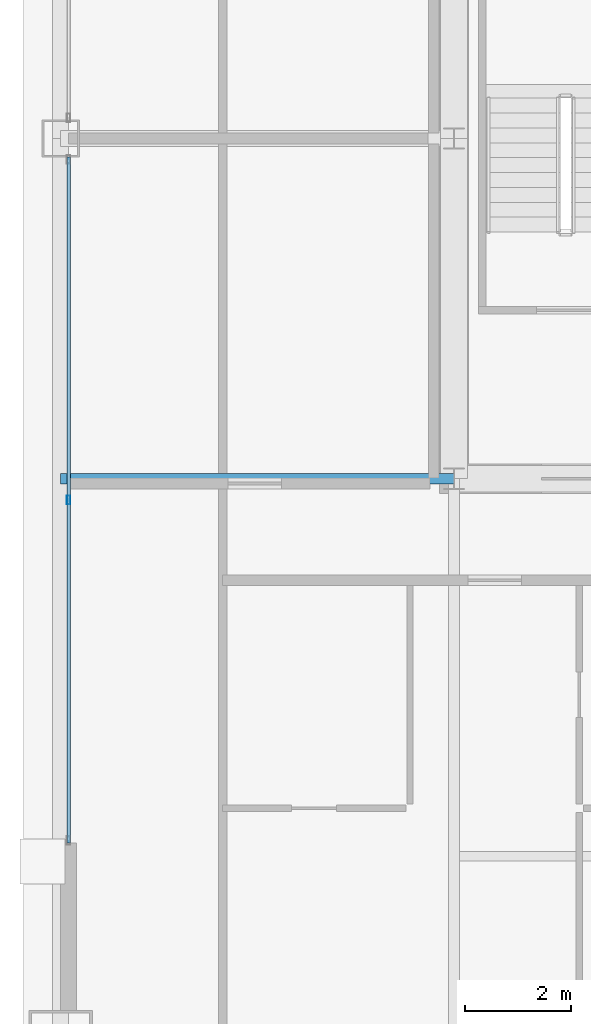
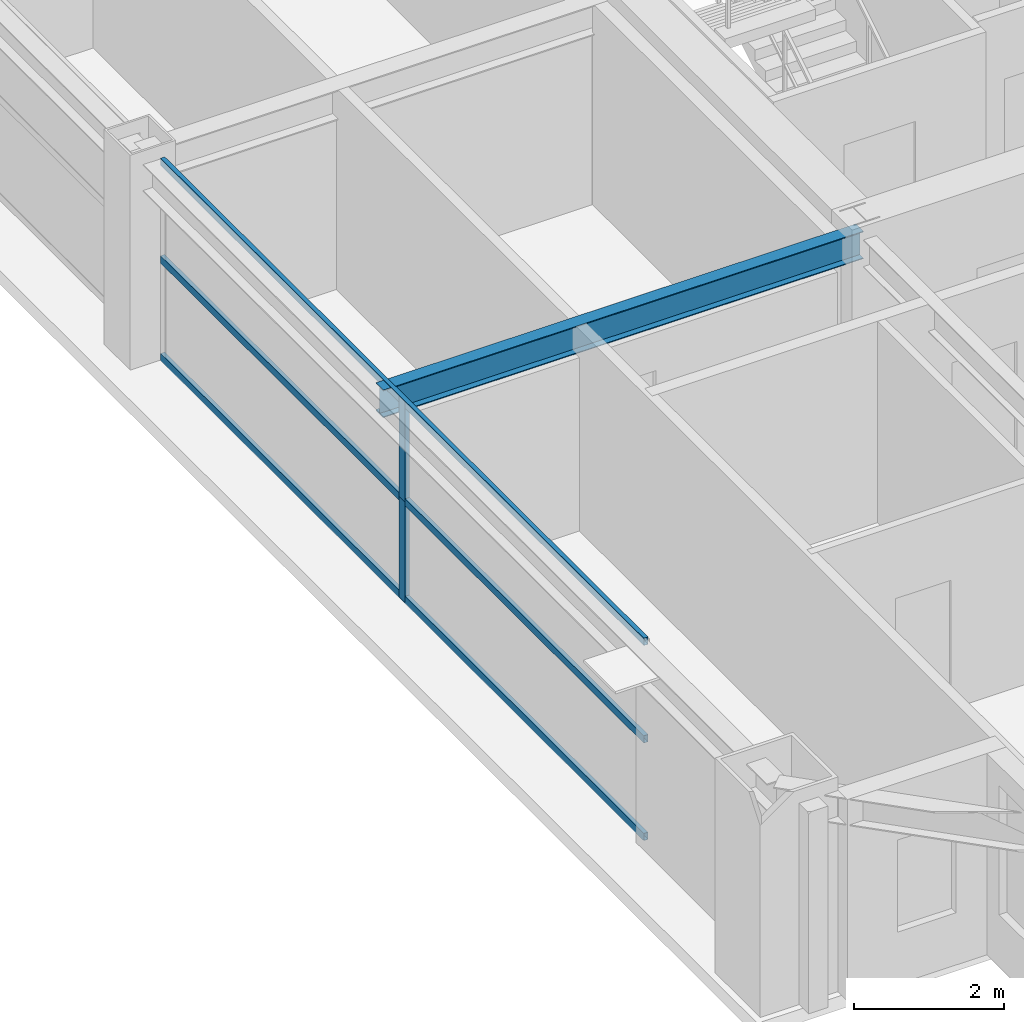
# One storey, part 7 of 37: 5 members, 1 beam, 1 element without a shape of its own.
"""IFC4 building model written with IfcOpenShell, lengths in metres."""

from ifc_helpers import new_model, si_unit, direction, frame, origin, origin_2d, place, context, subcontext, project, spatial, hollow_rectangle, i_section, extrude, source, transform, mapped, material, layer, layer_set, material_profile, profile_set, type_object, element, aggregate, save


model = new_model("IFC4")

# Units and contexts
model_context = context("Model", 3, precision=1e-05, world=origin(), true_north=direction((0.0, 1.0)))
body_context = subcontext(model_context, "Body", "Model", "MODEL_VIEW")
ifc_project = project(units=[si_unit("LENGTHUNIT", "METRE"), si_unit("AREAUNIT", "SQUARE_METRE"), si_unit("VOLUMEUNIT", "CUBIC_METRE"), si_unit("PLANEANGLEUNIT", "RADIAN"), si_unit("MASSUNIT", "GRAM", prefix="KILO"), si_unit("THERMODYNAMICTEMPERATUREUNIT", "KELVIN"), si_unit("POWERUNIT", "WATT")], contexts=[model_context])

# Site, building, storey
site_placement = place(None, origin())
site = spatial("IfcSite", under=ifc_project, at=site_placement, CompositionType="ELEMENT")
building_placement = place(site_placement, origin())
building = spatial("IfcBuilding", under=site, at=building_placement, Name="Yuzanri Waterfront Tower", CompositionType="ELEMENT")
storey_placement = place(building_placement, frame((0.0, 0.0, 252.10009765625)))
storey = spatial("IfcBuildingStorey", under=building, at=storey_placement, Name="L67", CompositionType="ELEMENT", Elevation=252.10009765625)

# Beam
ifc_material_1 = material(Name="Steel Q355B", Category="steel")
ifc_material_profile_1 = material_profile(ifc_material_1, i_section(OverallWidth=0.199951171875, OverallDepth=0.449951171875, WebThickness=0.009033203125, FlangeThickness=0.013916015625, at=origin_2d()), Name="HN 450x200x9x14")
ifc_profile_set_1 = profile_set([ifc_material_profile_1], Name="Steel Q355B")
beam_type = type_object("IfcBeamType", Name="Secondary Floor Beam Q355B HN 450x200", PredefinedType="BEAM", material=ifc_profile_set_1)
shared_shape_1 = source(origin(), body_context, "Body", "SweptSolid", [
    extrude(i_section(OverallWidth=0.199951171875, OverallDepth=0.449951171875, WebThickness=0.009033203125, FlangeThickness=0.013916015625, at=origin_2d()), origin(), (0.0, 0.0, 1.0), 7.400146484375),
])
beam_placement = place(storey_placement, frame((23.800048828125, 19.39990234375, 3.054931640625), z_axis=(-1.0, 0.0, 0.0), x_axis=(0.0, -1.0, 0.0)))
element("IfcBeam", 1, at=beam_placement, inside=storey, type_object=beam_type, Name="L67 West-South Core Line Beam", PredefinedType="BEAM", context=body_context, shape_type="MappedRepresentation", body=[
    mapped(shared_shape_1, transform((0.0, 0.0, 0.0), scale=1.0)),
])

# Curtain wall, members
ifc_material_2 = material(Name="Anodized Architectural Bronze", Category="metal")
ifc_layer = layer(ifc_material_2, 0.159912109375)
ifc_layer_set = layer_set([ifc_layer], Name="Anodized Architectural Bronze")
curtain_wall_type = type_object("IfcCurtainWallType", Name="Anodized Bronze Mid-Rise Residential Acoustic Unitized Curtain Wall 7200", PredefinedType="NOTDEFINED", material=ifc_layer_set)
curtain_wall_placement = place(storey_placement, origin())
curtain_wall = element("IfcCurtainWall", 2, at=curtain_wall_placement, inside=storey, type_object=curtain_wall_type, Name="L67 Curtain Wall CW-L67-WL", PredefinedType="NOTDEFINED")
ifc_material_3 = material(Name="Anodized Architectural Bronze", Category="metal")
ifc_material_profile_2 = material_profile(ifc_material_3, hollow_rectangle(XDim=0.06494140625, YDim=0.159912109375, WallThickness=0.00341796875, at=origin_2d()), Name="CWM 65x160")
ifc_profile_set_2 = profile_set([ifc_material_profile_2], Name="Anodized Architectural Bronze")
member_type_1 = type_object("IfcMemberType", Name="Anodized Bronze Upper-Zone Curtain-Wall Mullion 65x160", PredefinedType="MULLION", material=ifc_profile_set_2)
shared_shape_2 = source(origin(), body_context, "Body", "SweptSolid", [
    extrude(hollow_rectangle(XDim=0.06494140625, YDim=0.159912109375, WallThickness=0.00341796875, at=origin_2d()), origin(), (0.0, 0.0, 1.0), 1.637939453125),
])
member_1_placement = place(storey_placement, frame((16.550048828125, 19.0, 0.0), z_axis=(0.0, 0.0, 1.0), x_axis=(1.0, 0.0, 0.0)))
member_1 = element("IfcMember", 3, at=member_1_placement, type_object=member_type_1, Name="CW-L67-WL Lower Mullion 01", PredefinedType="MULLION", context=body_context, shape_type="MappedRepresentation", body=[
    mapped(shared_shape_2, transform((0.0, 0.0, 0.0), scale=1.0)),
])
member_2_placement = place(storey_placement, frame((16.550048828125, 19.0, 1.641845703125), z_axis=(0.0, 0.0, 1.0), x_axis=(1.0, 0.0, 0.0)))
member_2 = element("IfcMember", 4, at=member_2_placement, type_object=member_type_1, Name="CW-L67-WL Upper Mullion 01", PredefinedType="MULLION", context=body_context, shape_type="MappedRepresentation", body=[
    mapped(shared_shape_2, transform((0.0, 0.0, 0.0), scale=1.0)),
])
ifc_material_4 = material(Name="Anodized Architectural Bronze", Category="metal")
ifc_material_profile_3 = material_profile(ifc_material_4, hollow_rectangle(XDim=0.06494140625, YDim=0.1201171875, WallThickness=0.00341796875, at=origin_2d()), Name="CWT 65x120")
ifc_profile_set_3 = profile_set([ifc_material_profile_3], Name="Anodized Architectural Bronze")
member_type_2 = type_object("IfcMemberType", Name="Anodized Bronze Secondary Curtain-Wall Transom 65x120", PredefinedType="USERDEFINED", material=ifc_profile_set_3)
shared_shape_3 = source(origin(), body_context, "Body", "SweptSolid", [
    extrude(hollow_rectangle(XDim=0.06494140625, YDim=0.1201171875, WallThickness=0.00341796875, at=origin_2d()), origin(), (0.0, 0.0, 1.0), 12.89990234375),
])
member_3_placement = place(storey_placement, frame((16.550048828125, 12.550048828125, 0.0498046875), z_axis=(0.0, 1.0, 0.0), x_axis=(-1.0, 0.0, 0.0)))
member_3 = element("IfcMember", 5, at=member_3_placement, type_object=member_type_2, Name="CW-L67-WL Transom 1", ObjectType="TRANSOM", PredefinedType="USERDEFINED", context=body_context, shape_type="MappedRepresentation", body=[
    mapped(shared_shape_3, transform((0.0, 0.0, 0.0), scale=1.0)),
])
member_4_placement = place(storey_placement, frame((16.550048828125, 12.550048828125, 1.639892578125), z_axis=(0.0, 1.0, 0.0), x_axis=(-1.0, 0.0, 0.0)))
member_4 = element("IfcMember", 6, at=member_4_placement, type_object=member_type_2, Name="CW-L67-WL Transom 2", ObjectType="TRANSOM", PredefinedType="USERDEFINED", context=body_context, shape_type="MappedRepresentation", body=[
    mapped(shared_shape_3, transform((0.0, 0.0, 0.0), scale=1.0)),
])
member_5_placement = place(storey_placement, frame((16.550048828125, 12.550048828125, 3.22998046875), z_axis=(0.0, 1.0, 0.0), x_axis=(-1.0, 0.0, 0.0)))
member_5 = element("IfcMember", 7, at=member_5_placement, type_object=member_type_2, Name="CW-L67-WL Transom 3", ObjectType="TRANSOM", PredefinedType="USERDEFINED", context=body_context, shape_type="MappedRepresentation", body=[
    mapped(shared_shape_3, transform((0.0, 0.0, 0.0), scale=1.0)),
])
aggregate(curtain_wall, [member_1, member_2, member_3, member_4, member_5])

save(model, "model.ifc")
